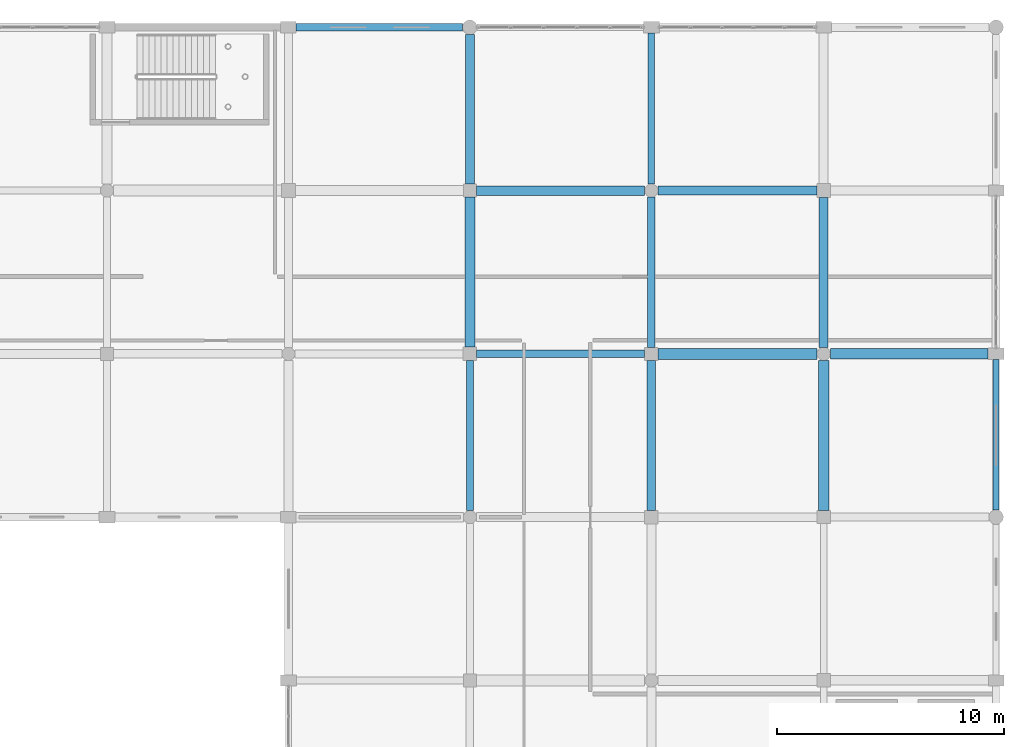
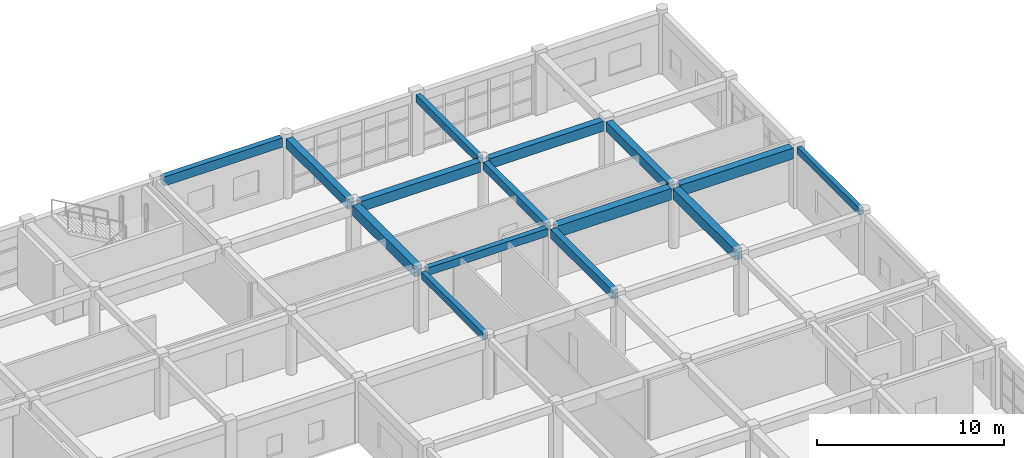
# One storey, part 31 of 53: 15 beams.
"""IFC4 building model written with IfcOpenShell, lengths in metres."""

from ifc_helpers import new_model, si_unit, direction, frame, origin, origin_2d, place, context, subcontext, project, spatial, rectangle, extrude, material, material_profile, profile_set, type_object, element, save


model = new_model("IFC4")

# Units and contexts
model_context = context("Model", 3, precision=1e-05, world=origin(), true_north=direction((0.0, 1.0)))
body_context = subcontext(model_context, "Body", "Model", "MODEL_VIEW")
ifc_project = project(units=[si_unit("LENGTHUNIT", "METRE"), si_unit("AREAUNIT", "SQUARE_METRE"), si_unit("VOLUMEUNIT", "CUBIC_METRE"), si_unit("PLANEANGLEUNIT", "RADIAN"), si_unit("MASSUNIT", "GRAM", prefix="KILO")], contexts=[model_context])

# Site, building, storey
site_placement = place(None, origin())
site = spatial("IfcSite", under=ifc_project, at=site_placement, CompositionType="ELEMENT")
building_placement = place(site_placement, origin())
building = spatial("IfcBuilding", under=site, at=building_placement, Name="Kharva Crest Polytechnic", CompositionType="ELEMENT")
storey_placement = place(building_placement, frame((0.0, 0.0, 17.39990234375)))
storey = spatial("IfcBuildingStorey", under=building, at=storey_placement, Name="L04", CompositionType="ELEMENT", Elevation=17.39990234375)

# Beams
ifc_material = material(Name="Concrete C35/45", Category="concrete")
ifc_material_profile_1 = material_profile(ifc_material, rectangle(XDim=0.300048828125, YDim=0.449951171875, at=origin_2d()), Name="RECT 300 X 450")
ifc_profile_set_1 = profile_set([ifc_material_profile_1], Name="Concrete C35/45")
beam_type_1 = type_object("IfcBeamType", Name="BM-RC-300X450", PredefinedType="BEAM", material=ifc_profile_set_1)
beam_1_placement = place(storey_placement, frame((160.800048828125, 100.68994140625, 3.7451171875), z_axis=(0.0, 1.0, 0.0), x_axis=(-1.0, 0.0, 0.0)))
element("IfcBeam", 1, at=beam_1_placement, inside=storey, type_object=beam_type_1, Name="L04 Girder 21/P-Q", PredefinedType="BEAM", context=body_context, shape_type="SweptSolid", body=[
    extrude(rectangle(XDim=0.300048828125, YDim=0.449951171875, at=origin_2d()), origin(), (0.0, 0.0, 1.0), 6.610107421875),
])
ifc_material_profile_2 = material_profile(ifc_material, rectangle(XDim=0.300048828125, YDim=0.47998046875, at=origin_2d()), Name="RECT 300 X 480")
ifc_profile_set_2 = profile_set([ifc_material_profile_2], Name="Concrete C35/45")
beam_type_2 = type_object("IfcBeamType", Name="BM-RC-300X480", PredefinedType="BEAM", material=ifc_profile_set_2)
beam_2_placement = place(storey_placement, frame((168.800048828125, 115.090087890625, 3.72998046875), z_axis=(0.0, 1.0, 0.0), x_axis=(-1.0, 0.0, 0.0)))
element("IfcBeam", 2, at=beam_2_placement, inside=storey, type_object=beam_type_2, Name="L04 Girder 22/R-S", PredefinedType="BEAM", context=body_context, shape_type="SweptSolid", body=[
    extrude(rectangle(XDim=0.300048828125, YDim=0.47998046875, at=origin_2d()), origin(), (0.0, 0.0, 1.0), 6.659912109375),
])
ifc_material_profile_3 = material_profile(ifc_material, rectangle(XDim=0.320068359375, YDim=0.5, at=origin_2d()), Name="RECT 320 X 500")
ifc_profile_set_3 = profile_set([ifc_material_profile_3], Name="Concrete C35/45")
beam_type_3 = type_object("IfcBeamType", Name="BM-RC-320X500", PredefinedType="BEAM", material=ifc_profile_set_3)
beam_3_placement = place(storey_placement, frame((161.10009765625, 107.60009765625, 3.72021484375), z_axis=(1.0, 0.0, 0.0), x_axis=(0.0, 1.0, 0.0)))
element("IfcBeam", 3, at=beam_3_placement, inside=storey, type_object=beam_type_3, Name="L04 Beam Q/21-22", PredefinedType="BEAM", context=body_context, shape_type="SweptSolid", body=[
    extrude(rectangle(XDim=0.320068359375, YDim=0.5, at=origin_2d()), origin(), (0.0, 0.0, 1.0), 7.409912109375),
])
ifc_material_profile_4 = material_profile(ifc_material, rectangle(XDim=0.340087890625, YDim=0.52001953125, at=origin_2d()), Name="RECT 340 X 520")
ifc_profile_set_4 = profile_set([ifc_material_profile_4], Name="Concrete C35/45")
beam_type_4 = type_object("IfcBeamType", Name="BM-RC-340X520", PredefinedType="BEAM", material=ifc_profile_set_4)
beam_4_placement = place(storey_placement, frame((168.800048828125, 107.889892578125, 3.710205078125), z_axis=(0.0, 1.0, 0.0), x_axis=(-1.0, 0.0, 0.0)))
element("IfcBeam", 4, at=beam_4_placement, inside=storey, type_object=beam_type_4, Name="L04 Girder 22/Q-R", PredefinedType="BEAM", context=body_context, shape_type="SweptSolid", body=[
    extrude(rectangle(XDim=0.340087890625, YDim=0.52001953125, at=origin_2d()), origin(), (0.0, 0.0, 1.0), 6.6201171875),
])
ifc_material_profile_5 = material_profile(ifc_material, rectangle(XDim=0.360107421875, YDim=0.580078125, at=origin_2d()), Name="RECT 360 X 580")
ifc_profile_set_5 = profile_set([ifc_material_profile_5], Name="Concrete C35/45")
beam_type_5 = type_object("IfcBeamType", Name="BM-RC-360X580", PredefinedType="BEAM", material=ifc_profile_set_5)
beam_5_placement = place(storey_placement, frame((168.800048828125, 100.699951171875, 3.68017578125), z_axis=(0.0, 1.0, 0.0), x_axis=(-1.0, 0.0, 0.0)))
element("IfcBeam", 5, at=beam_5_placement, inside=storey, type_object=beam_type_5, Name="L04 Girder 22/P-Q", PredefinedType="BEAM", context=body_context, shape_type="SweptSolid", body=[
    extrude(rectangle(XDim=0.360107421875, YDim=0.580078125, at=origin_2d()), origin(), (0.0, 0.0, 1.0), 6.610107421875),
])
ifc_material_profile_6 = material_profile(ifc_material, rectangle(XDim=0.39990234375, YDim=0.6201171875, at=origin_2d()), Name="RECT 400 X 620")
ifc_profile_set_6 = profile_set([ifc_material_profile_6], Name="Concrete C35/45")
beam_type_6 = type_object("IfcBeamType", Name="BM-RC-400X620", PredefinedType="BEAM", material=ifc_profile_set_6)
beam_6_placement = place(storey_placement, frame((160.800048828125, 115.090087890625, 3.66015625), z_axis=(0.0, 1.0, 0.0), x_axis=(-1.0, 0.0, 0.0)))
element("IfcBeam", 6, at=beam_6_placement, inside=storey, type_object=beam_type_6, Name="L04 Girder 21/R-S", PredefinedType="BEAM", context=body_context, shape_type="SweptSolid", body=[
    extrude(rectangle(XDim=0.39990234375, YDim=0.6201171875, at=origin_2d()), origin(), (0.0, 0.0, 1.0), 6.58984375),
])
beam_7_placement = place(storey_placement, frame((176.39990234375, 107.889892578125, 3.66015625), z_axis=(0.0, 1.0, 0.0), x_axis=(-1.0, 0.0, 0.0)))
element("IfcBeam", 7, at=beam_7_placement, inside=storey, type_object=beam_type_6, Name="L04 Girder 23/Q-R", PredefinedType="BEAM", context=body_context, shape_type="SweptSolid", body=[
    extrude(rectangle(XDim=0.39990234375, YDim=0.6201171875, at=origin_2d()), origin(), (0.0, 0.0, 1.0), 6.610107421875),
])
ifc_material_profile_7 = material_profile(ifc_material, rectangle(XDim=0.39990234375, YDim=0.64990234375, at=origin_2d()), Name="RECT 400 X 650")
ifc_profile_set_7 = profile_set([ifc_material_profile_7], Name="Concrete C35/45")
beam_type_7 = type_object("IfcBeamType", Name="BM-RC-400X650", PredefinedType="BEAM", material=ifc_profile_set_7)
beam_8_placement = place(storey_placement, frame((169.090087890625, 114.800048828125, 3.64501953125), z_axis=(1.0, 0.0, 0.0), x_axis=(0.0, 1.0, 0.0)))
element("IfcBeam", 8, at=beam_8_placement, inside=storey, type_object=beam_type_7, Name="L04 Beam R/22-23", PredefinedType="BEAM", context=body_context, shape_type="SweptSolid", body=[
    extrude(rectangle(XDim=0.39990234375, YDim=0.64990234375, at=origin_2d()), origin(), (0.0, 0.0, 1.0), 7.010009765625),
])
ifc_material_profile_8 = material_profile(ifc_material, rectangle(XDim=0.419921875, YDim=0.659912109375, at=origin_2d()), Name="RECT 420 X 660")
ifc_profile_set_8 = profile_set([ifc_material_profile_8], Name="Concrete C35/45")
beam_type_8 = type_object("IfcBeamType", Name="BM-RC-420X660", PredefinedType="BEAM", material=ifc_profile_set_8)
beam_9_placement = place(storey_placement, frame((161.090087890625, 114.800048828125, 3.64013671875), z_axis=(1.0, 0.0, 0.0), x_axis=(0.0, 1.0, 0.0)))
element("IfcBeam", 9, at=beam_9_placement, inside=storey, type_object=beam_type_8, Name="L04 Beam R/21-22", PredefinedType="BEAM", context=body_context, shape_type="SweptSolid", body=[
    extrude(rectangle(XDim=0.419921875, YDim=0.659912109375, at=origin_2d()), origin(), (0.0, 0.0, 1.0), 7.419921875),
])
ifc_material_profile_9 = material_profile(ifc_material, rectangle(XDim=0.449951171875, YDim=0.679931640625, at=origin_2d()), Name="RECT 450 X 680")
ifc_profile_set_9 = profile_set([ifc_material_profile_9], Name="Concrete C35/45")
beam_type_9 = type_object("IfcBeamType", Name="BM-RC-450X680", PredefinedType="BEAM", material=ifc_profile_set_9)
beam_10_placement = place(storey_placement, frame((160.800048828125, 107.89990234375, 3.630126953125), z_axis=(0.0, 1.0, 0.0), x_axis=(-1.0, 0.0, 0.0)))
element("IfcBeam", 10, at=beam_10_placement, inside=storey, type_object=beam_type_9, Name="L04 Girder 21/Q-R", PredefinedType="BEAM", context=body_context, shape_type="SweptSolid", body=[
    extrude(rectangle(XDim=0.449951171875, YDim=0.679931640625, at=origin_2d()), origin(), (0.0, 0.0, 1.0), 6.610107421875),
])
beam_11_placement = place(storey_placement, frame((176.39990234375, 100.68994140625, 3.630126953125), z_axis=(0.0, 1.0, 0.0), x_axis=(-1.0, 0.0, 0.0)))
element("IfcBeam", 11, at=beam_11_placement, inside=storey, type_object=beam_type_9, Name="L04 Girder 23/P-Q", PredefinedType="BEAM", context=body_context, shape_type="SweptSolid", body=[
    extrude(rectangle(XDim=0.449951171875, YDim=0.679931640625, at=origin_2d()), origin(), (0.0, 0.0, 1.0), 6.6201171875),
])
ifc_material_profile_10 = material_profile(ifc_material, rectangle(XDim=0.449951171875, YDim=0.719970703125, at=origin_2d()), Name="RECT 450 X 720")
ifc_profile_set_10 = profile_set([ifc_material_profile_10], Name="Concrete C35/45")
beam_type_10 = type_object("IfcBeamType", Name="BM-RC-450X720", PredefinedType="BEAM", material=ifc_profile_set_10)
beam_12_placement = place(storey_placement, frame((176.68994140625, 107.60009765625, 3.610107421875), z_axis=(1.0, 0.0, 0.0), x_axis=(0.0, 1.0, 0.0)))
element("IfcBeam", 12, at=beam_12_placement, inside=storey, type_object=beam_type_10, Name="L04 Beam Q/23-24", PredefinedType="BEAM", context=body_context, shape_type="SweptSolid", body=[
    extrude(rectangle(XDim=0.449951171875, YDim=0.719970703125, at=origin_2d()), origin(), (0.0, 0.0, 1.0), 6.9599609375),
])
ifc_material_profile_11 = material_profile(ifc_material, rectangle(XDim=0.47998046875, YDim=0.75, at=origin_2d()), Name="RECT 480 X 750")
ifc_profile_set_11 = profile_set([ifc_material_profile_11], Name="Concrete C35/45")
beam_type_11 = type_object("IfcBeamType", Name="BM-RC-480X750", PredefinedType="BEAM", material=ifc_profile_set_11)
beam_13_placement = place(storey_placement, frame((169.090087890625, 107.60009765625, 3.59521484375), z_axis=(1.0, 0.0, 0.0), x_axis=(0.0, 1.0, 0.0)))
element("IfcBeam", 13, at=beam_13_placement, inside=storey, type_object=beam_type_11, Name="L04 Beam Q/22-23", PredefinedType="BEAM", context=body_context, shape_type="SweptSolid", body=[
    extrude(rectangle(XDim=0.47998046875, YDim=0.75, at=origin_2d()), origin(), (0.0, 0.0, 1.0), 7.02001953125),
])
ifc_material_profile_12 = material_profile(ifc_material, rectangle(XDim=0.260009765625, YDim=0.43994140625, at=origin_2d()), Name="RECT 260 X 440")
ifc_profile_set_12 = profile_set([ifc_material_profile_12], Name="Concrete C35/45")
beam_type_12 = type_object("IfcBeamType", Name="SP-RC-260X440", PredefinedType="SPANDREL", material=ifc_profile_set_12)
beam_14_placement = place(storey_placement, frame((184.0, 100.719970703125, 3.75), z_axis=(0.0, 1.0, 0.0), x_axis=(-1.0, 0.0, 0.0)))
element("IfcBeam", 14, at=beam_14_placement, inside=storey, type_object=beam_type_12, Name="L04 Girder 24/P-Q", PredefinedType="SPANDREL", context=body_context, shape_type="SweptSolid", body=[
    extrude(rectangle(XDim=0.260009765625, YDim=0.43994140625, at=origin_2d()), origin(), (0.0, 0.0, 1.0), 6.630126953125),
])
ifc_material_profile_13 = material_profile(ifc_material, rectangle(XDim=0.340087890625, YDim=0.60009765625, at=origin_2d()), Name="RECT 340 X 600")
ifc_profile_set_13 = profile_set([ifc_material_profile_13], Name="Concrete C35/45")
beam_type_13 = type_object("IfcBeamType", Name="SP-RC-340X600", PredefinedType="SPANDREL", material=ifc_profile_set_13)
beam_15_placement = place(storey_placement, frame((153.139892578125, 122.0, 3.670166015625), z_axis=(1.0, 0.0, 0.0), x_axis=(0.0, 1.0, 0.0)))
element("IfcBeam", 15, at=beam_15_placement, inside=storey, type_object=beam_type_13, Name="L04 Beam S/20-21", PredefinedType="SPANDREL", context=body_context, shape_type="SweptSolid", body=[
    extrude(rectangle(XDim=0.340087890625, YDim=0.60009765625, at=origin_2d()), origin(), (0.0, 0.0, 1.0), 7.340087890625),
])

save(model, "model.ifc")
